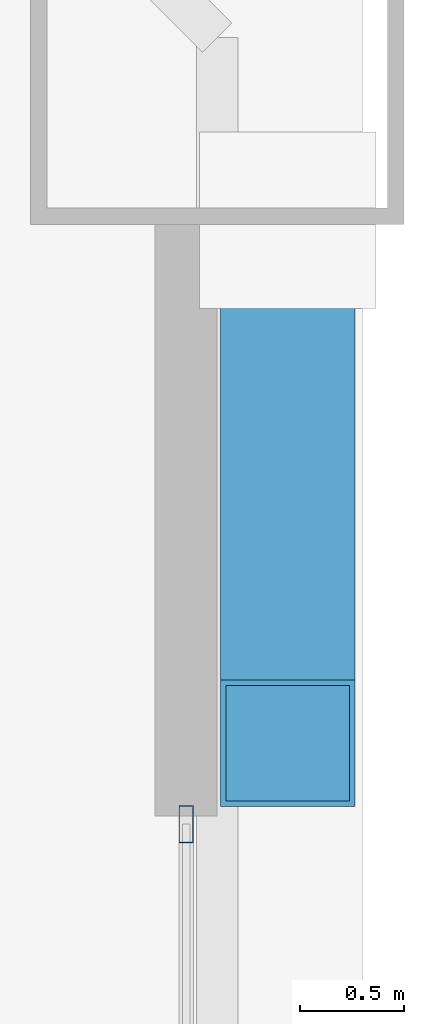
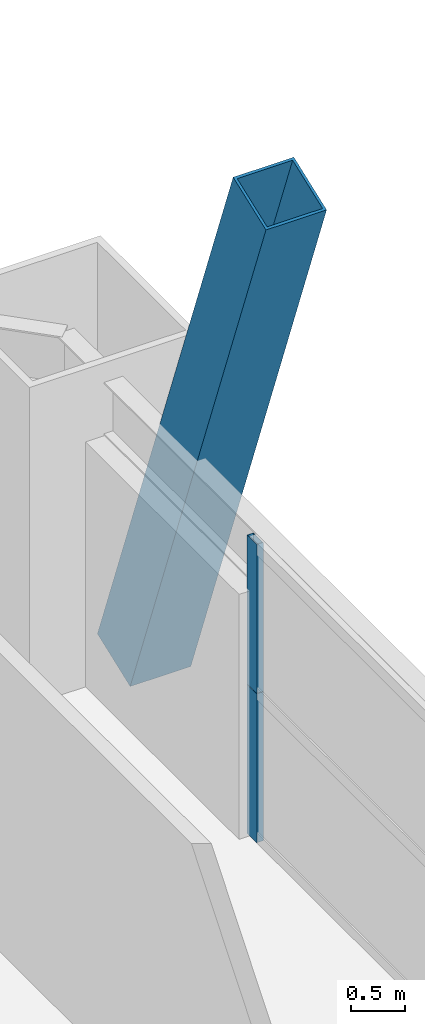
# One storey, part 34 of 43: 3 members, 1 element without a shape of its own.
"""IFC4 building model written with IfcOpenShell, lengths in metres."""

from ifc_helpers import new_model, si_unit, direction, frame, origin, origin_2d, place, context, subcontext, project, spatial, hollow_rectangle, extrude, source, transform, mapped, material, layer, layer_set, material_profile, profile_set, type_object, element, aggregate, save


model = new_model("IFC4")

# Units and contexts
model_context = context("Model", 3, precision=1e-05, world=origin(), true_north=direction((0.0, 1.0)))
body_context = subcontext(model_context, "Body", "Model", "MODEL_VIEW")
ifc_project = project(units=[si_unit("LENGTHUNIT", "METRE"), si_unit("AREAUNIT", "SQUARE_METRE"), si_unit("VOLUMEUNIT", "CUBIC_METRE"), si_unit("PLANEANGLEUNIT", "RADIAN"), si_unit("MASSUNIT", "GRAM", prefix="KILO"), si_unit("THERMODYNAMICTEMPERATUREUNIT", "KELVIN"), si_unit("POWERUNIT", "WATT")], contexts=[model_context])

# Site, building, storey
site_placement = place(None, origin())
site = spatial("IfcSite", under=ifc_project, at=site_placement, CompositionType="ELEMENT")
building_placement = place(site_placement, origin())
building = spatial("IfcBuilding", under=site, at=building_placement, Name="Yuzanri Waterfront Tower", CompositionType="ELEMENT")
storey_placement = place(building_placement, frame((0.0, 0.0, 46.0)))
storey = spatial("IfcBuildingStorey", under=building, at=storey_placement, Name="L11", CompositionType="ELEMENT", Elevation=46.0)

# Member
ifc_material_1 = material(Name="Steel Q420GJC", Category="steel")
ifc_material_profile_1 = material_profile(ifc_material_1, hollow_rectangle(XDim=0.64990234375, YDim=0.64990234375, WallThickness=0.028076171875, at=origin_2d()), Name="RHS 650x650x28")
ifc_profile_set_1 = profile_set([ifc_material_profile_1], Name="Steel Q420GJC")
member_type_1 = type_object("IfcMemberType", Name="Mega Brace Lower Q420GJC RHS 650x650x28", PredefinedType="BRACE", material=ifc_profile_set_1)
shared_shape_1 = source(origin(), body_context, "Body", "SweptSolid", [
    extrude(hollow_rectangle(XDim=0.64990234375, YDim=0.64990234375, WallThickness=0.028076171875, at=origin_2d()), origin(), (0.0, 0.0, 1.0), 7.158203125),
])
member_1_placement = place(storey_placement, frame((62.43994140625, 46.419921875, 0.179931640625), z_axis=(0.0, -0.352046480343, 0.935982518896), x_axis=(1.0, 0.0, 0.0)))
element("IfcMember", 1, at=member_1_placement, inside=storey, type_object=member_type_1, Name="L11-L12 Perimeter Mega-Brace E-R", PredefinedType="BRACE", context=body_context, shape_type="MappedRepresentation", body=[
    mapped(shared_shape_1, transform((0.0, 0.0, 0.0), scale=1.0)),
])

# Curtain wall, members
ifc_material_2 = material(Name="Anodized Architectural Bronze", Category="metal")
ifc_layer = layer(ifc_material_2, 0.159912109375)
ifc_layer_set = layer_set([ifc_layer], Name="Anodized Architectural Bronze")
curtain_wall_type = type_object("IfcCurtainWallType", Name="Anodized Bronze Hotel Lower-Tier Recessed Unitized Curtain Wall 8100", PredefinedType="NOTDEFINED", material=ifc_layer_set)
curtain_wall_placement = place(storey_placement, origin())
curtain_wall = element("IfcCurtainWall", 2, at=curtain_wall_placement, inside=storey, type_object=curtain_wall_type, Name="L11 Curtain Wall CW-L11-ER", PredefinedType="NOTDEFINED")
ifc_material_3 = material(Name="Anodized Architectural Bronze", Category="metal")
ifc_material_profile_2 = material_profile(ifc_material_3, hollow_rectangle(XDim=0.070068359375, YDim=0.179931640625, WallThickness=0.00390625, at=origin_2d()), Name="CWM 70x180")
ifc_profile_set_2 = profile_set([ifc_material_profile_2], Name="Anodized Architectural Bronze")
member_type_2 = type_object("IfcMemberType", Name="Anodized Bronze Standard Curtain-Wall Mullion 70x180", PredefinedType="MULLION", material=ifc_profile_set_2)
shared_shape_2 = source(origin(), body_context, "Body", "SweptSolid", [
    extrude(hollow_rectangle(XDim=0.070068359375, YDim=0.179931640625, WallThickness=0.00390625, at=origin_2d()), origin(), (0.0, 0.0, 1.0), 1.68798828125),
])
member_2_placement = place(storey_placement, frame((61.949951171875, 43.510009765625, 0.0), z_axis=(0.0, 0.0, 1.0), x_axis=(1.0, 0.0, 0.0)))
member_2 = element("IfcMember", 3, at=member_2_placement, type_object=member_type_2, Name="CW-L11-ER Lower Mullion 02", PredefinedType="MULLION", context=body_context, shape_type="MappedRepresentation", body=[
    mapped(shared_shape_2, transform((0.0, 0.0, 0.0), scale=1.0)),
])
member_3_placement = place(storey_placement, frame((61.949951171875, 43.510009765625, 1.69189453125), z_axis=(0.0, 0.0, 1.0), x_axis=(1.0, 0.0, 0.0)))
member_3 = element("IfcMember", 4, at=member_3_placement, type_object=member_type_2, Name="CW-L11-ER Upper Mullion 02", PredefinedType="MULLION", context=body_context, shape_type="MappedRepresentation", body=[
    mapped(shared_shape_2, transform((0.0, 0.0, 0.0), scale=1.0)),
])
aggregate(curtain_wall, [member_2, member_3])

save(model, "model.ifc")
